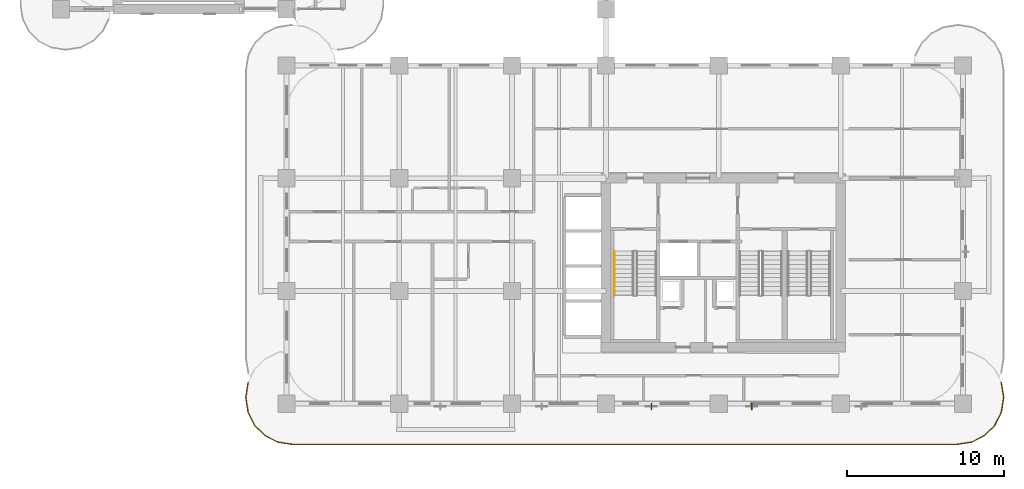
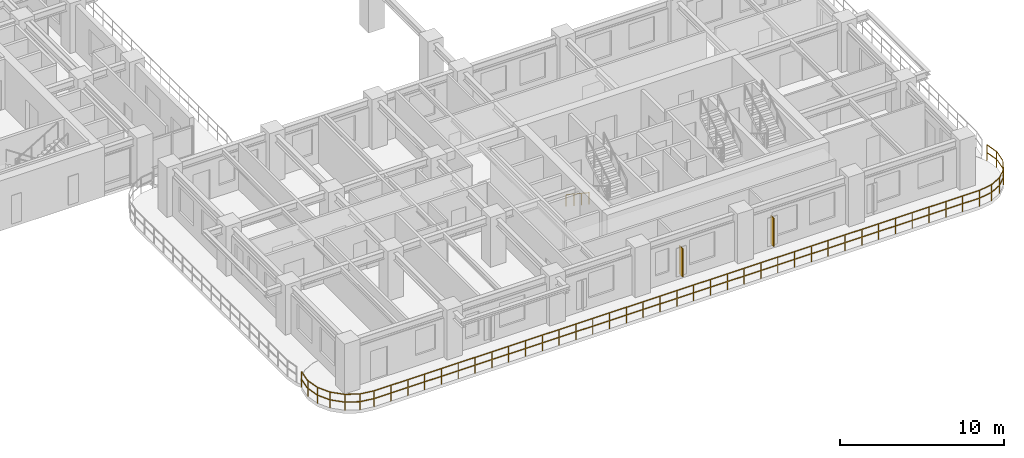
# One storey, part 14 of 19: 2 railings, 2 shading devices.
"""IFC4 building model written with IfcOpenShell, lengths in metres."""

import ifcopenshell
import ifcopenshell.guid

model = None  # the IFC model being written
_history = None  # IfcOwnerHistory: only IFC2X3 demands one
_inside = {}  # id of a spatial element -> (the spatial element, [elements in it])
_under = {}  # id of a project, library or spatial element -> (it, [spatial elements below it])
_declared = {}  # id of a project -> (the project, [libraries it declares])
_typed = {}  # id of a type object -> (the type object, [elements of that type])
_made_of = {}  # id of a material, layer set ... -> (it, [elements and type objects made of it])


def new_model(schema):
    """Start an empty IFC model of exactly this schema.

    Asked for "IFC4X3", IfcOpenShell would pick the latest addendum, in which some entities
    have other attributes; the version numbers below select the first issue.
    IFC2X3 requires an IfcOwnerHistory on every rooted entity: one is made here for all.
    """
    global model, _history
    if schema == "IFC4X3":
        model = ifcopenshell.file(schema_version=(4, 3, 0, 0))
    else:
        model = ifcopenshell.file(schema=schema)
    _inside.clear()
    _under.clear()
    _declared.clear()
    _typed.clear()
    _made_of.clear()
    _history = None
    if model.schema == "IFC2X3":
        org = make("IfcOrganization", Name="unknown")
        user = make(
            "IfcPersonAndOrganization",
            ThePerson=make("IfcPerson", FamilyName="unknown"),
            TheOrganization=org,
        )
        app = make(
            "IfcApplication",
            ApplicationDeveloper=org,
            Version="unknown",
            ApplicationFullName="unknown",
            ApplicationIdentifier="unknown",
        )
        _history = make(
            "IfcOwnerHistory",
            OwningUser=user,
            OwningApplication=app,
            ChangeAction="ADDED",
            CreationDate=0,
        )
    return model


def make(cls, **values):
    """One entity of the class cls with the attributes given. An attribute that is None is left unset."""
    return model.create_entity(
        cls, **{name: value for name, value in values.items() if value is not None}
    )


def rooted(cls, **values):
    """An entity with a GlobalId (a new one), such as an element, a storey or a relation."""
    return make(cls, GlobalId=ifcopenshell.guid.new(), OwnerHistory=_history, **values)


def si_unit(unit_type, name, prefix=None):
    """IfcSIUnit, for example si_unit("LENGTHUNIT", "METRE", prefix="MILLI")."""
    return make("IfcSIUnit", UnitType=unit_type, Prefix=prefix, Name=name)


def derived_unit(unit_type, elements):
    """IfcDerivedUnit: a product of units, each with its exponent."""
    return make(
        "IfcDerivedUnit",
        Elements=[
            make("IfcDerivedUnitElement", Unit=unit, Exponent=power)
            for unit, power in elements
        ],
        UnitType=unit_type,
    )


def assignment(units):
    """IfcUnitAssignment: the units of a project."""
    return None if units is None else make("IfcUnitAssignment", Units=units)


def point(xyz):
    """IfcCartesianPoint."""
    return None if xyz is None else make("IfcCartesianPoint", Coordinates=xyz)


def direction(xyz):
    """IfcDirection."""
    return None if xyz is None else make("IfcDirection", DirectionRatios=xyz)


def frame(location, z_axis=None, x_axis=None):
    """IfcAxis2Placement3D, a coordinate frame: its origin and axes. An axis left out is left unset."""
    return make(
        "IfcAxis2Placement3D",
        Location=point(location),
        Axis=direction(z_axis),
        RefDirection=direction(x_axis),
    )


def frame_2d(location, x_axis=None):
    """IfcAxis2Placement2D, a coordinate frame in the plane: its origin and x axis."""
    return make(
        "IfcAxis2Placement2D", Location=point(location), RefDirection=direction(x_axis)
    )


def origin():
    """The frame at (0, 0, 0) with its axes left unset."""
    return frame((0.0, 0.0, 0.0))


def origin_2d():
    """The frame at (0, 0) in the plane with its x axis left unset."""
    return frame_2d((0.0, 0.0))


def place(relative_to, where):
    """IfcLocalPlacement: puts the frame where relative to a parent placement (None: the world)."""
    return make(
        "IfcLocalPlacement", PlacementRelTo=relative_to, RelativePlacement=where
    )


def context(
    kind, dimensions, precision=None, world=None, true_north=None, identifier=None
):
    """IfcGeometricRepresentationContext, for example the 3D "Model" context."""
    return make(
        "IfcGeometricRepresentationContext",
        ContextIdentifier=identifier,
        ContextType=kind,
        CoordinateSpaceDimension=dimensions,
        Precision=precision,
        WorldCoordinateSystem=world,
        TrueNorth=true_north,
    )


def subcontext(parent, identifier, kind, view, scale=None):
    """IfcGeometricRepresentationSubContext, for example "Body" below "Model"."""
    return make(
        "IfcGeometricRepresentationSubContext",
        ContextIdentifier=identifier,
        ContextType=kind,
        ParentContext=parent,
        TargetScale=scale,
        TargetView=view,
    )


def project(units=None, contexts=None):
    """IfcProject with its units and contexts."""
    return rooted(
        "IfcProject",
        Name="project",
        RepresentationContexts=contexts,
        UnitsInContext=assignment(units),
    )


def spatial(cls, under=None, at=None, **own):
    """A site, building, storey or space (cls), placed at a placement, below another one or the project."""
    s = rooted(cls, ObjectPlacement=at, **own)
    if under is not None:
        _under.setdefault(under.id(), (under, []))[1].append(s)
    return s


def profile(cls, at=None, kind="AREA", **sizes):
    """A parametric profile (cls). Its sizes go by their IFC names, for example OverallWidth=200.0."""
    return make(cls, ProfileType=kind, Position=at, **sizes)


def rectangle(**sizes):
    """IfcRectangleProfileDef."""
    return profile("IfcRectangleProfileDef", **sizes)


def extrude(swept, where, along, depth):
    """IfcExtrudedAreaSolid: the profile swept, set in the frame where, extruded along a direction by depth."""
    return make(
        "IfcExtrudedAreaSolid",
        SweptArea=swept,
        Position=where,
        ExtrudedDirection=direction(along),
        Depth=depth,
    )


def shape(context_of_items, identifier, shape_type, items):
    """IfcShapeRepresentation: the items that make up one representation, for example the "Body"."""
    return make(
        "IfcShapeRepresentation",
        ContextOfItems=context_of_items,
        RepresentationIdentifier=identifier,
        RepresentationType=shape_type,
        Items=items,
    )


def source(mapping_origin, context_of_items, identifier, shape_type, items):
    """IfcRepresentationMap: a shape defined once, which mapped items show again and again."""
    return make(
        "IfcRepresentationMap",
        MappingOrigin=mapping_origin,
        MappedRepresentation=shape(context_of_items, identifier, shape_type, items),
    )


def transform(
    local_origin,
    x_axis=None,
    y_axis=None,
    z_axis=None,
    scale=None,
    scale2=None,
    scale3=None,
    uniform=True,
):
    """IfcCartesianTransformationOperator3D, or its non-uniform kind. x_axis, y_axis, z_axis: its Axis1, 2, 3."""
    if uniform:
        return make(
            "IfcCartesianTransformationOperator3D",
            Axis1=direction(x_axis),
            Axis2=direction(y_axis),
            LocalOrigin=point(local_origin),
            Scale=scale,
            Axis3=direction(z_axis),
        )
    return make(
        "IfcCartesianTransformationOperator3DnonUniform",
        Axis1=direction(x_axis),
        Axis2=direction(y_axis),
        LocalOrigin=point(local_origin),
        Scale=scale,
        Axis3=direction(z_axis),
        Scale2=scale2,
        Scale3=scale3,
    )


def mapped(mapping_source, mapping_target):
    """IfcMappedItem: shows the shape of a source again, moved by a transform."""
    return make(
        "IfcMappedItem", MappingSource=mapping_source, MappingTarget=mapping_target
    )


def material(Name=None, Category=None):
    """IfcMaterial."""
    return make("IfcMaterial", Name=Name, Category=Category)


def layer(
    of_material, thickness, ventilated=None, Name=None, Category=None, Priority=None
):
    """IfcMaterialLayer: one layer of a wall or slab, of a material (None: an air gap)."""
    return make(
        "IfcMaterialLayer",
        Material=of_material,
        LayerThickness=thickness,
        IsVentilated=ventilated,
        Name=Name,
        Category=Category,
        Priority=Priority,
    )


def layer_set(layers, Name=None):
    """IfcMaterialLayerSet."""
    return make("IfcMaterialLayerSet", MaterialLayers=layers, LayerSetName=Name)


def made_of(thing, what):
    """Note that an element or type object is made of a material, layer set ...; save() writes the relation."""
    if what is not None:
        _made_of.setdefault(what.id(), (what, []))[1].append(thing)
    return thing


def type_object(cls, material=None, **own):
    """A type object (cls), such as IfcWallType, which elements share."""
    return made_of(rooted(cls, **own), material)


def type_shapes(of_type, sources):
    """Give a type object the sources (RepresentationMaps) that its elements show as mapped items."""
    of_type.RepresentationMaps = sources


def element(
    cls,
    number,
    at=None,
    inside=None,
    cuts=None,
    type_object=None,
    material=None,
    context=None,
    identifier="Body",
    shape_type=None,
    held_by="IfcProductDefinitionShape",
    body=None,
    shapes=None,
    **own,
):
    """One element of the class cls, such as IfcWall. Its Tag is "e" and its number.

    at: its placement. inside: the storey or other place that contains it. cuts: it is an
    opening in that element (IfcRelVoidsElement). A single representation is given by context,
    identifier, shape_type and body (its items); several are given by shapes. held_by: the class
    of the entity that holds the representations. save() writes the other relations.
    """
    e = rooted(cls, Tag="e%d" % number, ObjectPlacement=at, **own)
    if body is not None:
        shapes = [shape(context, identifier, shape_type, body)]
    if shapes is not None:
        e.Representation = make(held_by, Representations=shapes)
    if inside is not None:
        _inside.setdefault(inside.id(), (inside, []))[1].append(e)
    if cuts is not None:
        rooted(
            "IfcRelVoidsElement", RelatingBuildingElement=cuts, RelatedOpeningElement=e
        )
    if type_object is not None:
        _typed.setdefault(type_object.id(), (type_object, []))[1].append(e)
    return made_of(e, material)


def aggregate(whole, parts):
    """IfcRelAggregates: a whole, such as a stair, and the parts it consists of."""
    return rooted("IfcRelAggregates", RelatingObject=whole, RelatedObjects=parts)


def save(model, path):
    """Write the relations noted so far, then the file.

    IfcRelAggregates (storeys below a building ...), IfcRelContainedInSpatialStructure (elements
    in a storey), IfcRelDefinesByType, IfcRelAssociatesMaterial and IfcRelDeclares: one each for
    every whole, place, type object, material and project.
    """
    for whole, parts in _under.values():
        aggregate(whole, parts)
    for where, things in _inside.values():
        rooted(
            "IfcRelContainedInSpatialStructure",
            RelatedElements=things,
            RelatingStructure=where,
        )
    for kind, things in _typed.values():
        rooted("IfcRelDefinesByType", RelatedObjects=things, RelatingType=kind)
    for what, things in _made_of.values():
        rooted("IfcRelAssociatesMaterial", RelatedObjects=things, RelatingMaterial=what)
    for by, libraries in _declared.values():
        rooted("IfcRelDeclares", RelatingContext=by, RelatedDefinitions=libraries)
    model.write(path)


model = new_model("IFC4")

# Units and contexts
model_context = context("Model", 3, precision=1e-05, world=origin(), true_north=direction((0.0, 1.0)))
body_context = subcontext(model_context, "Body", "Model", "MODEL_VIEW")
ifc_project = project(units=[si_unit("LENGTHUNIT", "METRE"), si_unit("AREAUNIT", "SQUARE_METRE"), si_unit("VOLUMEUNIT", "CUBIC_METRE"), si_unit("PLANEANGLEUNIT", "RADIAN"), si_unit("MASSUNIT", "GRAM", prefix="KILO"), si_unit("THERMODYNAMICTEMPERATUREUNIT", "KELVIN"), si_unit("POWERUNIT", "WATT"), derived_unit("THERMALTRANSMITTANCEUNIT", [(si_unit("POWERUNIT", "WATT"), 1), (si_unit("AREAUNIT", "SQUARE_METRE"), -1), (si_unit("THERMODYNAMICTEMPERATUREUNIT", "KELVIN"), -1)])], contexts=[model_context])

# Site, building, storey
site_placement = place(None, origin())
site = spatial("IfcSite", under=ifc_project, at=site_placement, CompositionType="ELEMENT")
building_placement = place(site_placement, origin())
building = spatial("IfcBuilding", under=site, at=building_placement, Name="Zahravan Archway Hotel and Residences", CompositionType="ELEMENT")
storey_placement = place(building_placement, frame((0.0, 0.0, 54.60009765625)))
storey = spatial("IfcBuildingStorey", under=building, at=storey_placement, Name="L12", CompositionType="ELEMENT", Elevation=54.60009765625)

# Railings
ifc_material_1 = material(Name="Bronze & Laminated Glass Balustrade", Category="glass")
railing_type_1 = type_object("IfcRailingType", Name="RL-BAL-1200", PredefinedType="BALUSTRADE", material=ifc_material_1)
railing_1_placement = place(storey_placement, frame((60.0556640625, 1.361572265625, 0.0)))
element("IfcRailing", 1, at=railing_1_placement, inside=storey, type_object=railing_type_1, Name="L12 Balustrade RL-SLB-BAL-L12-SA-1", PredefinedType="BALUSTRADE", context=body_context, shape_type="SweptSolid", body=[
    extrude(rectangle(XDim=0.048095703125, YDim=0.048095703125, at=origin_2d()), frame((0.0, 0.0, 1.17578125), z_axis=(0.156329311416, -0.987704989555, 0.0), x_axis=(0.987704989555, 0.156329311416, 0.0)), (0.0, 0.0, 1.0), 0.9228515625),
    extrude(rectangle(XDim=0.048095703125, YDim=0.048095703125, at=origin_2d()), frame((0.0, 0.0, 0.60009765625), z_axis=(0.156329311416, -0.987704989555, 0.0), x_axis=(0.987704989555, 0.156329311416, 0.0)), (0.0, 0.0, 1.0), 0.9228515625),
    extrude(rectangle(XDim=0.048095703125, YDim=0.048095703125, at=origin_2d()), frame((0.144287109375, -0.91162109375, 1.17578125), z_axis=(0.0, -1.0, 0.0), x_axis=(1.0, 0.0, 0.0)), (0.0, 0.0, 1.0), 0.099853515625),
    extrude(rectangle(XDim=0.048095703125, YDim=0.048095703125, at=origin_2d()), frame((0.144287109375, -0.91162109375, 0.60009765625), z_axis=(0.0, -1.0, 0.0), x_axis=(1.0, 0.0, 0.0)), (0.0, 0.0, 1.0), 0.099853515625),
    extrude(rectangle(XDim=0.048095703125, YDim=0.048095703125, at=origin_2d()), frame((0.144287109375, -1.011474609375, 1.17578125), z_axis=(-0.156329311416, -0.987704989555, 0.0), x_axis=(0.987704989555, -0.156329311416, 0.0)), (0.0, 0.0, 1.0), 0.9228515625),
    extrude(rectangle(XDim=0.048095703125, YDim=0.048095703125, at=origin_2d()), frame((0.144287109375, -1.011474609375, 0.60009765625), z_axis=(-0.156329311416, -0.987704989555, 0.0), x_axis=(0.987704989555, -0.156329311416, 0.0)), (0.0, 0.0, 1.0), 0.9228515625),
    extrude(rectangle(XDim=0.048095703125, YDim=0.048095703125, at=origin_2d()), frame((0.0, -1.923095703125, 1.17578125), z_axis=(-0.453866348456, -0.891069771532, 0.0), x_axis=(0.891069771532, -0.453866348456, 0.0)), (0.0, 0.0, 1.0), 0.923095703125),
    extrude(rectangle(XDim=0.048095703125, YDim=0.048095703125, at=origin_2d()), frame((0.0, -1.923095703125, 0.60009765625), z_axis=(-0.453866348456, -0.891069771532, 0.0), x_axis=(0.891069771532, -0.453866348456, 0.0)), (0.0, 0.0, 1.0), 0.923095703125),
    extrude(rectangle(XDim=0.048095703125, YDim=0.048095703125, at=origin_2d()), frame((-0.4189453125, -2.74560546875, 1.17578125), z_axis=(-0.707239012465, -0.706974525176, 0.0), x_axis=(0.706974525176, -0.707239012465, 0.0)), (0.0, 0.0, 1.0), 0.923095703125),
    extrude(rectangle(XDim=0.048095703125, YDim=0.048095703125, at=origin_2d()), frame((-0.4189453125, -2.74560546875, 0.60009765625), z_axis=(-0.707239012465, -0.706974525176, 0.0), x_axis=(0.706974525176, -0.707239012465, 0.0)), (0.0, 0.0, 1.0), 0.923095703125),
    extrude(rectangle(XDim=0.048095703125, YDim=0.048095703125, at=origin_2d()), frame((-1.07177734375, -3.398193359375, 1.17578125), z_axis=(-0.891015268556, -0.453973337542, 0.0), x_axis=(0.453973337542, -0.891015268556, 0.0)), (0.0, 0.0, 1.0), 0.9228515625),
    extrude(rectangle(XDim=0.048095703125, YDim=0.048095703125, at=origin_2d()), frame((-1.07177734375, -3.398193359375, 0.60009765625), z_axis=(-0.891015268556, -0.453973337542, 0.0), x_axis=(0.453973337542, -0.891015268556, 0.0)), (0.0, 0.0, 1.0), 0.9228515625),
    extrude(rectangle(XDim=0.048095703125, YDim=0.048095703125, at=origin_2d()), frame((-1.89404296875, -3.817138671875, 1.17578125), z_axis=(-0.98766411426, -0.156587347521, 0.0), x_axis=(0.156587347521, -0.98766411426, 0.0)), (0.0, 0.0, 1.0), 0.923095703125),
    extrude(rectangle(XDim=0.048095703125, YDim=0.048095703125, at=origin_2d()), frame((-1.89404296875, -3.817138671875, 0.60009765625), z_axis=(-0.98766411426, -0.156587347521, 0.0), x_axis=(0.156587347521, -0.98766411426, 0.0)), (0.0, 0.0, 1.0), 0.923095703125),
    extrude(rectangle(XDim=0.048095703125, YDim=0.048095703125, at=origin_2d()), frame((-2.8056640625, -3.961669921875, 1.17578125), z_axis=(-1.0, 0.0, 0.0), x_axis=(0.0, -1.0, 0.0)), (0.0, 0.0, 1.0), 42.5),
    extrude(rectangle(XDim=0.048095703125, YDim=0.048095703125, at=origin_2d()), frame((-2.8056640625, -3.961669921875, 0.60009765625), z_axis=(-1.0, 0.0, 0.0), x_axis=(0.0, -1.0, 0.0)), (0.0, 0.0, 1.0), 42.5),
    extrude(rectangle(XDim=0.048095703125, YDim=0.048095703125, at=origin_2d()), frame((-45.3056640625, -3.961669921875, 1.17578125), z_axis=(-0.98766411426, 0.156587347521, 0.0), x_axis=(-0.156587347521, -0.98766411426, 0.0)), (0.0, 0.0, 1.0), 0.923095703125),
    extrude(rectangle(XDim=0.048095703125, YDim=0.048095703125, at=origin_2d()), frame((-45.3056640625, -3.961669921875, 0.60009765625), z_axis=(-0.98766411426, 0.156587347521, 0.0), x_axis=(-0.156587347521, -0.98766411426, 0.0)), (0.0, 0.0, 1.0), 0.923095703125),
    extrude(rectangle(XDim=0.048095703125, YDim=0.048095703125, at=origin_2d()), frame((-46.21728515625, -3.817138671875, 1.17578125), z_axis=(-0.891015268556, 0.453973337542, 0.0), x_axis=(-0.453973337542, -0.891015268556, 0.0)), (0.0, 0.0, 1.0), 0.9228515625),
    extrude(rectangle(XDim=0.048095703125, YDim=0.048095703125, at=origin_2d()), frame((-46.21728515625, -3.817138671875, 0.60009765625), z_axis=(-0.891015268556, 0.453973337542, 0.0), x_axis=(-0.453973337542, -0.891015268556, 0.0)), (0.0, 0.0, 1.0), 0.9228515625),
    extrude(rectangle(XDim=0.048095703125, YDim=0.048095703125, at=origin_2d()), frame((-47.03955078125, -3.398193359375, 1.17578125), z_axis=(-0.707239012465, 0.706974525176, 0.0), x_axis=(-0.706974525176, -0.707239012465, 0.0)), (0.0, 0.0, 1.0), 0.923095703125),
    extrude(rectangle(XDim=0.048095703125, YDim=0.048095703125, at=origin_2d()), frame((-47.03955078125, -3.398193359375, 0.60009765625), z_axis=(-0.707239012465, 0.706974525176, 0.0), x_axis=(-0.706974525176, -0.707239012465, 0.0)), (0.0, 0.0, 1.0), 0.923095703125),
    extrude(rectangle(XDim=0.048095703125, YDim=0.048095703125, at=origin_2d()), frame((-47.6923828125, -2.74560546875, 1.17578125), z_axis=(-0.453866348456, 0.891069771532, 0.0), x_axis=(-0.891069771532, -0.453866348456, 0.0)), (0.0, 0.0, 1.0), 0.923095703125),
    extrude(rectangle(XDim=0.048095703125, YDim=0.048095703125, at=origin_2d()), frame((-47.6923828125, -2.74560546875, 0.60009765625), z_axis=(-0.453866348456, 0.891069771532, 0.0), x_axis=(-0.891069771532, -0.453866348456, 0.0)), (0.0, 0.0, 1.0), 0.923095703125),
    extrude(rectangle(XDim=0.048095703125, YDim=0.048095703125, at=origin_2d()), frame((-48.111328125, -1.923095703125, 1.17578125), z_axis=(-0.156329311416, 0.987704989555, 0.0), x_axis=(-0.987704989555, -0.156329311416, 0.0)), (0.0, 0.0, 1.0), 0.9228515625),
    extrude(rectangle(XDim=0.048095703125, YDim=0.048095703125, at=origin_2d()), frame((-48.111328125, -1.923095703125, 0.60009765625), z_axis=(-0.156329311416, 0.987704989555, 0.0), x_axis=(-0.987704989555, -0.156329311416, 0.0)), (0.0, 0.0, 1.0), 0.9228515625),
    extrude(rectangle(XDim=0.048095703125, YDim=0.048095703125, at=origin_2d()), frame((-48.255615234375, -1.011474609375, 1.17578125), z_axis=(0.0, 1.0, 0.0), x_axis=(-1.0, 0.0, 0.0)), (0.0, 0.0, 1.0), 0.099853515625),
    extrude(rectangle(XDim=0.048095703125, YDim=0.048095703125, at=origin_2d()), frame((-48.255615234375, -1.011474609375, 0.60009765625), z_axis=(0.0, 1.0, 0.0), x_axis=(-1.0, 0.0, 0.0)), (0.0, 0.0, 1.0), 0.099853515625),
    extrude(rectangle(XDim=0.048095703125, YDim=0.048095703125, at=origin_2d()), frame((-48.255615234375, -0.91162109375, 1.17578125), z_axis=(0.156329311416, 0.987704989555, 0.0), x_axis=(-0.987704989555, 0.156329311416, 0.0)), (0.0, 0.0, 1.0), 0.9228515625),
    extrude(rectangle(XDim=0.048095703125, YDim=0.048095703125, at=origin_2d()), frame((-48.255615234375, -0.91162109375, 0.60009765625), z_axis=(0.156329311416, 0.987704989555, 0.0), x_axis=(-0.987704989555, 0.156329311416, 0.0)), (0.0, 0.0, 1.0), 0.9228515625),
    extrude(rectangle(XDim=0.0419921875, YDim=0.0419921875, at=origin_2d()), origin(), (0.0, 0.0, 1.0), 1.15185546875),
    extrude(rectangle(XDim=0.0419921875, YDim=0.0419921875, at=origin_2d()), frame((0.144287109375, -0.91162109375, 0.0)), (0.0, 0.0, 1.0), 1.15185546875),
    extrude(rectangle(XDim=0.0419921875, YDim=0.0419921875, at=origin_2d()), frame((0.0, -1.923095703125, 0.0)), (0.0, 0.0, 1.0), 1.15185546875),
    extrude(rectangle(XDim=0.0419921875, YDim=0.0419921875, at=origin_2d()), frame((-0.4189453125, -2.74560546875, 0.0)), (0.0, 0.0, 1.0), 1.15185546875),
    extrude(rectangle(XDim=0.0419921875, YDim=0.0419921875, at=origin_2d()), frame((-1.07177734375, -3.398193359375, 0.0)), (0.0, 0.0, 1.0), 1.15185546875),
    extrude(rectangle(XDim=0.0419921875, YDim=0.0419921875, at=origin_2d()), frame((-1.89404296875, -3.817138671875, 0.0)), (0.0, 0.0, 1.0), 1.15185546875),
    extrude(rectangle(XDim=0.0419921875, YDim=0.0419921875, at=origin_2d()), frame((-2.8056640625, -3.961669921875, 0.0)), (0.0, 0.0, 1.0), 1.15185546875),
    extrude(rectangle(XDim=0.0419921875, YDim=0.0419921875, at=origin_2d()), frame((-3.986328125, -3.961669921875, 0.0)), (0.0, 0.0, 1.0), 1.15185546875),
    extrude(rectangle(XDim=0.0419921875, YDim=0.0419921875, at=origin_2d()), frame((-5.166748046875, -3.961669921875, 0.0)), (0.0, 0.0, 1.0), 1.15185546875),
    extrude(rectangle(XDim=0.0419921875, YDim=0.0419921875, at=origin_2d()), frame((-6.347412109375, -3.961669921875, 0.0)), (0.0, 0.0, 1.0), 1.15185546875),
    extrude(rectangle(XDim=0.0419921875, YDim=0.0419921875, at=origin_2d()), frame((-7.52783203125, -3.961669921875, 0.0)), (0.0, 0.0, 1.0), 1.15185546875),
    extrude(rectangle(XDim=0.0419921875, YDim=0.0419921875, at=origin_2d()), frame((-8.70849609375, -3.961669921875, 0.0)), (0.0, 0.0, 1.0), 1.15185546875),
    extrude(rectangle(XDim=0.0419921875, YDim=0.0419921875, at=origin_2d()), frame((-9.888916015625, -3.961669921875, 0.0)), (0.0, 0.0, 1.0), 1.15185546875),
    extrude(rectangle(XDim=0.0419921875, YDim=0.0419921875, at=origin_2d()), frame((-11.069580078125, -3.961669921875, 0.0)), (0.0, 0.0, 1.0), 1.15185546875),
    extrude(rectangle(XDim=0.0419921875, YDim=0.0419921875, at=origin_2d()), frame((-12.25, -3.961669921875, 0.0)), (0.0, 0.0, 1.0), 1.15185546875),
    extrude(rectangle(XDim=0.0419921875, YDim=0.0419921875, at=origin_2d()), frame((-13.4306640625, -3.961669921875, 0.0)), (0.0, 0.0, 1.0), 1.15185546875),
    extrude(rectangle(XDim=0.0419921875, YDim=0.0419921875, at=origin_2d()), frame((-14.611328125, -3.961669921875, 0.0)), (0.0, 0.0, 1.0), 1.15185546875),
    extrude(rectangle(XDim=0.0419921875, YDim=0.0419921875, at=origin_2d()), frame((-15.791748046875, -3.961669921875, 0.0)), (0.0, 0.0, 1.0), 1.15185546875),
    extrude(rectangle(XDim=0.0419921875, YDim=0.0419921875, at=origin_2d()), frame((-16.972412109375, -3.961669921875, 0.0)), (0.0, 0.0, 1.0), 1.15185546875),
    extrude(rectangle(XDim=0.0419921875, YDim=0.0419921875, at=origin_2d()), frame((-18.15283203125, -3.961669921875, 0.0)), (0.0, 0.0, 1.0), 1.15185546875),
    extrude(rectangle(XDim=0.0419921875, YDim=0.0419921875, at=origin_2d()), frame((-19.33349609375, -3.961669921875, 0.0)), (0.0, 0.0, 1.0), 1.15185546875),
    extrude(rectangle(XDim=0.0419921875, YDim=0.0419921875, at=origin_2d()), frame((-20.513916015625, -3.961669921875, 0.0)), (0.0, 0.0, 1.0), 1.15185546875),
    extrude(rectangle(XDim=0.0419921875, YDim=0.0419921875, at=origin_2d()), frame((-21.694580078125, -3.961669921875, 0.0)), (0.0, 0.0, 1.0), 1.15185546875),
    extrude(rectangle(XDim=0.0419921875, YDim=0.0419921875, at=origin_2d()), frame((-22.875, -3.961669921875, 0.0)), (0.0, 0.0, 1.0), 1.15185546875),
    extrude(rectangle(XDim=0.0419921875, YDim=0.0419921875, at=origin_2d()), frame((-24.0556640625, -3.961669921875, 0.0)), (0.0, 0.0, 1.0), 1.15185546875),
    extrude(rectangle(XDim=0.0419921875, YDim=0.0419921875, at=origin_2d()), frame((-25.236328125, -3.961669921875, 0.0)), (0.0, 0.0, 1.0), 1.15185546875),
    extrude(rectangle(XDim=0.0419921875, YDim=0.0419921875, at=origin_2d()), frame((-26.416748046875, -3.961669921875, 0.0)), (0.0, 0.0, 1.0), 1.15185546875),
    extrude(rectangle(XDim=0.0419921875, YDim=0.0419921875, at=origin_2d()), frame((-27.597412109375, -3.961669921875, 0.0)), (0.0, 0.0, 1.0), 1.15185546875),
    extrude(rectangle(XDim=0.0419921875, YDim=0.0419921875, at=origin_2d()), frame((-28.77783203125, -3.961669921875, 0.0)), (0.0, 0.0, 1.0), 1.15185546875),
    extrude(rectangle(XDim=0.0419921875, YDim=0.0419921875, at=origin_2d()), frame((-29.95849609375, -3.961669921875, 0.0)), (0.0, 0.0, 1.0), 1.15185546875),
    extrude(rectangle(XDim=0.0419921875, YDim=0.0419921875, at=origin_2d()), frame((-31.138916015625, -3.961669921875, 0.0)), (0.0, 0.0, 1.0), 1.15185546875),
    extrude(rectangle(XDim=0.0419921875, YDim=0.0419921875, at=origin_2d()), frame((-32.319580078125, -3.961669921875, 0.0)), (0.0, 0.0, 1.0), 1.15185546875),
    extrude(rectangle(XDim=0.0419921875, YDim=0.0419921875, at=origin_2d()), frame((-33.5, -3.961669921875, 0.0)), (0.0, 0.0, 1.0), 1.15185546875),
    extrude(rectangle(XDim=0.0419921875, YDim=0.0419921875, at=origin_2d()), frame((-34.6806640625, -3.961669921875, 0.0)), (0.0, 0.0, 1.0), 1.15185546875),
    extrude(rectangle(XDim=0.0419921875, YDim=0.0419921875, at=origin_2d()), frame((-35.861328125, -3.961669921875, 0.0)), (0.0, 0.0, 1.0), 1.15185546875),
    extrude(rectangle(XDim=0.0419921875, YDim=0.0419921875, at=origin_2d()), frame((-37.041748046875, -3.961669921875, 0.0)), (0.0, 0.0, 1.0), 1.15185546875),
    extrude(rectangle(XDim=0.0419921875, YDim=0.0419921875, at=origin_2d()), frame((-38.222412109375, -3.961669921875, 0.0)), (0.0, 0.0, 1.0), 1.15185546875),
    extrude(rectangle(XDim=0.0419921875, YDim=0.0419921875, at=origin_2d()), frame((-39.40283203125, -3.961669921875, 0.0)), (0.0, 0.0, 1.0), 1.15185546875),
    extrude(rectangle(XDim=0.0419921875, YDim=0.0419921875, at=origin_2d()), frame((-40.58349609375, -3.961669921875, 0.0)), (0.0, 0.0, 1.0), 1.15185546875),
    extrude(rectangle(XDim=0.0419921875, YDim=0.0419921875, at=origin_2d()), frame((-41.763916015625, -3.961669921875, 0.0)), (0.0, 0.0, 1.0), 1.15185546875),
    extrude(rectangle(XDim=0.0419921875, YDim=0.0419921875, at=origin_2d()), frame((-42.944580078125, -3.961669921875, 0.0)), (0.0, 0.0, 1.0), 1.15185546875),
    extrude(rectangle(XDim=0.0419921875, YDim=0.0419921875, at=origin_2d()), frame((-44.125, -3.961669921875, 0.0)), (0.0, 0.0, 1.0), 1.15185546875),
    extrude(rectangle(XDim=0.0419921875, YDim=0.0419921875, at=origin_2d()), frame((-45.3056640625, -3.961669921875, 0.0)), (0.0, 0.0, 1.0), 1.15185546875),
    extrude(rectangle(XDim=0.0419921875, YDim=0.0419921875, at=origin_2d()), frame((-46.21728515625, -3.817138671875, 0.0)), (0.0, 0.0, 1.0), 1.15185546875),
    extrude(rectangle(XDim=0.0419921875, YDim=0.0419921875, at=origin_2d()), frame((-47.03955078125, -3.398193359375, 0.0)), (0.0, 0.0, 1.0), 1.15185546875),
    extrude(rectangle(XDim=0.0419921875, YDim=0.0419921875, at=origin_2d()), frame((-47.6923828125, -2.74560546875, 0.0)), (0.0, 0.0, 1.0), 1.15185546875),
    extrude(rectangle(XDim=0.0419921875, YDim=0.0419921875, at=origin_2d()), frame((-48.111328125, -1.923095703125, 0.0)), (0.0, 0.0, 1.0), 1.15185546875),
    extrude(rectangle(XDim=0.0419921875, YDim=0.0419921875, at=origin_2d()), frame((-48.255615234375, -1.011474609375, 0.0)), (0.0, 0.0, 1.0), 1.15185546875),
    extrude(rectangle(XDim=0.0419921875, YDim=0.0419921875, at=origin_2d()), frame((-48.111328125, 0.0, 0.0)), (0.0, 0.0, 1.0), 1.15185546875),
])
ifc_material_2 = material(Name="Brushed Stainless Steel", Category="steel")
railing_type_2 = type_object("IfcRailingType", Name="RL-STH-900", PredefinedType="HANDRAIL", material=ifc_material_2)
railing_2_placement = place(storey_placement, frame((35.35009765625, 9.72998046875, 0.16796875)))
element("IfcRailing", 2, at=railing_2_placement, inside=storey, type_object=railing_type_2, Name="L12 ST-A1 stair handrail 1", PredefinedType="HANDRAIL", context=body_context, shape_type="SweptSolid", body=[
    extrude(rectangle(XDim=0.048095703125, YDim=0.048095703125, at=origin_2d()), frame((0.0, 0.0, 0.8759765625), z_axis=(0.0, -0.834326358476, 0.551270829586), x_axis=(1.0, 0.0, 0.0)), (0.0, 0.0, 1.0), 3.35595703125),
    extrude(rectangle(XDim=0.0419921875, YDim=0.0419921875, at=origin_2d()), origin(), (0.0, 0.0, 1.0), 0.851806640625),
    extrude(rectangle(XDim=0.0419921875, YDim=0.0419921875, at=origin_2d()), frame((0.0, -0.933349609375, 0.61669921875)), (0.0, 0.0, 1.0), 0.851806640625),
    extrude(rectangle(XDim=0.0419921875, YDim=0.0419921875, at=origin_2d()), frame((0.0, -1.86669921875, 1.2333984375)), (0.0, 0.0, 1.0), 0.851806640625),
    extrude(rectangle(XDim=0.0419921875, YDim=0.0419921875, at=origin_2d()), frame((0.0, -2.800048828125, 1.85009765625)), (0.0, 0.0, 1.0), 0.851806640625),
])

# Shading devices
ifc_material_3 = material(Name="Terracotta & Bronze Solar Brise-Soleil", Category="masonry")
ifc_layer = layer(ifc_material_3, 0.06005859375, Name="Terracotta & Bronze Solar Brise-Soleil", Category="masonry")
ifc_layer_set = layer_set([ifc_layer], Name="Terracotta & Bronze Solar Brise-Soleil")
shading_device_type = type_object("IfcShadingDeviceType", Name="SHD-MASH-FIN", PredefinedType="JALOUSIE", material=ifc_layer_set)
shared_shape = source(origin(), body_context, "Body", "SweptSolid", [
    extrude(rectangle(XDim=0.06005859375, YDim=0.419921875, at=origin_2d()), origin(), (0.0, 0.0, 1.0), 2.10009765625),
])
type_shapes(shading_device_type, [shared_shape])
for number, where, z_axis, x_axis, name in (
    (3, (37.7080078125, -0.177978515625, 0.249755859375), (0.0, 0.0, 1.0), (1.0, 0.0, 0.0), "L12 Solar Mashrabiya Fin 03"),
    (4, (44.10791015625, -0.177978515625, 0.249755859375), (0.0, 0.0, 1.0), (1.0, 0.0, 0.0), "L12 Solar Mashrabiya Fin 04"),
):
    element("IfcShadingDevice", number, at=place(storey_placement, frame(where, z_axis=z_axis, x_axis=x_axis)), inside=storey, type_object=shading_device_type, Name=name, PredefinedType="JALOUSIE", context=body_context, shape_type="MappedRepresentation", body=[
        mapped(shared_shape, transform((0.0, 0.0, 0.0), scale=1.0)),
    ])

save(model, "model.ifc")
